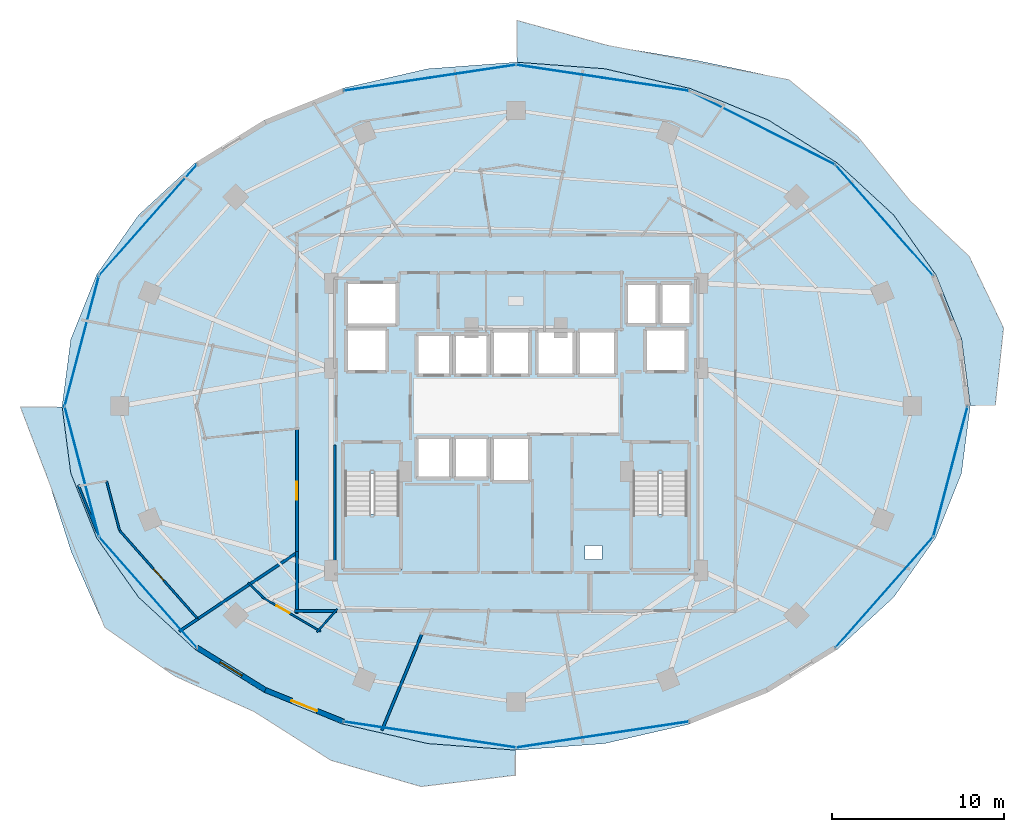
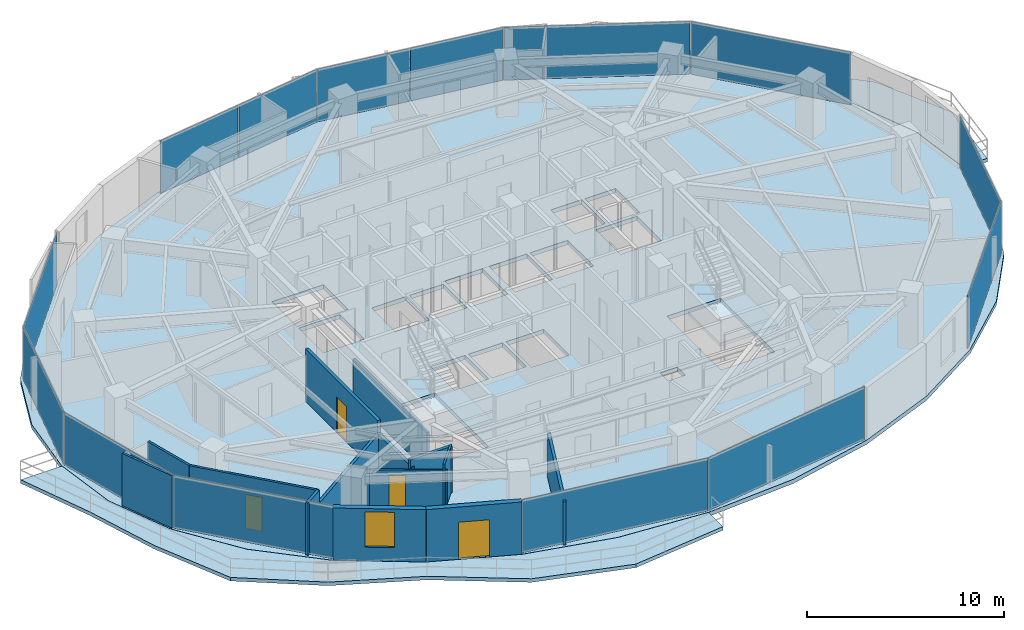
# One storey, part 21 of 29: 15 walls, 14 plates, 5 slabs, 4 doors, 1 window, 5 openings, 6 elements without a shape of their own.
"""IFC4 building model written with IfcOpenShell, lengths in metres."""

from ifc_helpers import new_model, si_unit, direction, frame, frame_2d, origin, origin_2d, place, context, subcontext, project, spatial, polyline, rectangle, outline, extrude, material, layer, layer_set, type_object, element, fill, aggregate, save


model = new_model("IFC4")

# Units and contexts
model_context = context("Model", 3, precision=1e-05, world=origin(), true_north=direction((0.0, 1.0)))
body_context = subcontext(model_context, "Body", "Model", "MODEL_VIEW")
ifc_project = project(units=[si_unit("LENGTHUNIT", "METRE"), si_unit("AREAUNIT", "SQUARE_METRE"), si_unit("VOLUMEUNIT", "CUBIC_METRE"), si_unit("PLANEANGLEUNIT", "RADIAN"), si_unit("MASSUNIT", "GRAM", prefix="KILO")], contexts=[model_context])

# Site, building, storey
site_placement = place(None, origin())
site = spatial("IfcSite", under=ifc_project, at=site_placement, CompositionType="ELEMENT")
building_placement = place(site_placement, origin())
building = spatial("IfcBuilding", under=site, at=building_placement, Name="Vorneva Point Tower", CompositionType="ELEMENT")
storey_placement = place(building_placement, frame((0.0, 0.0, 82.300048828125)))
storey = spatial("IfcBuildingStorey", under=building, at=storey_placement, Name="L21", CompositionType="ELEMENT", Elevation=82.300048828125)

# Curtain wall, plates
ifc_material_1 = material(Name="Pale anodised aluminium", Category="aluminium")
curtain_wall_type = type_object("IfcCurtainWallType", Name="CW-HTL-SYS", PredefinedType="NOTDEFINED", material=ifc_material_1)
curtain_wall_1_placement = place(storey_placement, origin())
curtain_wall_1 = element("IfcCurtainWall", 1, at=curtain_wall_1_placement, inside=storey, type_object=curtain_wall_type, Name="L21 Unitised Curtain Wall CW-L21-R01", PredefinedType="NOTDEFINED")
ifc_material_2 = material(Name="Double low-e laminated glass IGU", Category="glass")
ifc_layer_1 = layer(ifc_material_2, 0.035888671875)
ifc_layer_set_1 = layer_set([ifc_layer_1], Name="Double low-e laminated glass IGU")
plate_type = type_object("IfcPlateType", Name="CW-PNL-VIS", PredefinedType="CURTAIN_PANEL", material=ifc_layer_set_1)
plate_1_placement = place(storey_placement, frame((59.40673828125, 36.816162109375, -0.02001953125), z_axis=(0.0, 0.0, 1.0), x_axis=(-0.662149334693, 0.749371909379, 0.0)))
plate_1 = element("IfcPlate", 2, at=plate_1_placement, type_object=plate_type, Name="CW-L21-R01 Glazed Panel 01", PredefinedType="CURTAIN_PANEL", context=body_context, shape_type="SweptSolid", body=[
    extrude(rectangle(XDim=8.543701171875, YDim=0.035888671875, at=origin_2d()), origin(), (0.0, 0.0, 1.0), 3.280029296875),
])
plate_2_placement = place(storey_placement, frame((52.303466796875, 42.1875, -0.02001953125), z_axis=(0.0, 0.0, 1.0), x_axis=(-0.892538597772, 0.450971009585, 0.0)))
plate_2 = element("IfcPlate", 3, at=plate_2_placement, type_object=plate_type, Name="CW-L21-R01 Glazed Panel 02", PredefinedType="CURTAIN_PANEL", context=body_context, shape_type="SweptSolid", body=[
    extrude(rectangle(XDim=9.491455078125, YDim=0.035888671875, at=origin_2d()), origin(), (0.0, 0.0, 1.0), 3.280029296875),
])
plate_3_placement = place(storey_placement, frame((45.5341796875, 44.716796875, -0.02001953125), z_axis=(0.0, 0.0, 1.0), x_axis=(-0.988876117041, 0.148741470836, 0.0)))
plate_3 = element("IfcPlate", 4, at=plate_3_placement, type_object=plate_type, Name="CW-L21-R01 Glazed Panel 03A", PredefinedType="CURTAIN_PANEL", context=body_context, shape_type="SweptSolid", body=[
    extrude(rectangle(XDim=5.029296875, YDim=0.035888671875, at=origin_2d()), origin(), (0.0, 0.0, 1.0), 3.280029296875),
])
plate_4_placement = place(storey_placement, frame((40.511474609375, 45.472412109375, -0.02001953125), z_axis=(0.0, 0.0, 1.0), x_axis=(-0.988876117041, 0.148741470836, 0.0)))
plate_4 = element("IfcPlate", 5, at=plate_4_placement, type_object=plate_type, Name="CW-L21-R01 Glazed Panel 03B", PredefinedType="CURTAIN_PANEL", context=body_context, shape_type="SweptSolid", body=[
    extrude(rectangle(XDim=5.029296875, YDim=0.035888671875, at=origin_2d()), origin(), (0.0, 0.0, 1.0), 3.280029296875),
])
plate_5_placement = place(storey_placement, frame((35.488525390625, 45.472412109375, -0.02001953125), z_axis=(0.0, 0.0, 1.0), x_axis=(-0.988876117041, -0.148741470836, 0.0)))
plate_5 = element("IfcPlate", 6, at=plate_5_placement, type_object=plate_type, Name="CW-L21-R01 Glazed Panel 04A", PredefinedType="CURTAIN_PANEL", context=body_context, shape_type="SweptSolid", body=[
    extrude(rectangle(XDim=5.029296875, YDim=0.035888671875, at=origin_2d()), origin(), (0.0, 0.0, 1.0), 3.280029296875),
])
plate_6_placement = place(storey_placement, frame((30.4658203125, 44.716796875, -0.02001953125), z_axis=(0.0, 0.0, 1.0), x_axis=(-0.988876117041, -0.148741470836, 0.0)))
plate_6 = element("IfcPlate", 7, at=plate_6_placement, type_object=plate_type, Name="CW-L21-R01 Glazed Panel 04B", PredefinedType="CURTAIN_PANEL", context=body_context, shape_type="SweptSolid", body=[
    extrude(rectangle(XDim=5.029296875, YDim=0.035888671875, at=origin_2d()), origin(), (0.0, 0.0, 1.0), 3.280029296875),
])
aggregate(curtain_wall_1, [plate_1, plate_2, plate_3, plate_4, plate_5, plate_6])

curtain_wall_2_placement = place(storey_placement, origin())
curtain_wall_2 = element("IfcCurtainWall", 8, at=curtain_wall_2_placement, inside=storey, type_object=curtain_wall_type, Name="L21 Unitised Curtain Wall CW-L21-R02", PredefinedType="NOTDEFINED")
plate_7_placement = place(storey_placement, frame((16.59326171875, 36.816162109375, -0.02001953125), z_axis=(0.0, 0.0, 1.0), x_axis=(-0.662149334693, -0.749371909379, 0.0)))
plate_7 = element("IfcPlate", 9, at=plate_7_placement, type_object=plate_type, Name="CW-L21-R02 Glazed Panel 01", PredefinedType="CURTAIN_PANEL", context=body_context, shape_type="SweptSolid", body=[
    extrude(rectangle(XDim=8.543701171875, YDim=0.035888671875, at=origin_2d()), origin(), (0.0, 0.0, 1.0), 3.280029296875),
])
plate_8_placement = place(storey_placement, frame((12.7490234375, 29.798095703125, -0.02001953125), z_axis=(0.0, 0.0, 1.0), x_axis=(-0.254399404995, -0.967099241411, 0.0)))
plate_8 = element("IfcPlate", 10, at=plate_8_placement, type_object=plate_type, Name="CW-L21-R02 Glazed Panel 02", PredefinedType="CURTAIN_PANEL", context=body_context, shape_type="SweptSolid", body=[
    extrude(rectangle(XDim=7.8046875, YDim=0.035888671875, at=origin_2d()), origin(), (0.0, 0.0, 1.0), 3.280029296875),
])
plate_9_placement = place(storey_placement, frame((12.7490234375, 22.201904296875, -0.02001953125), z_axis=(0.0, 0.0, 1.0), x_axis=(0.254399404995, -0.967099241411, 0.0)))
plate_9 = element("IfcPlate", 11, at=plate_9_placement, type_object=plate_type, Name="CW-L21-R02 Glazed Panel 03", PredefinedType="CURTAIN_PANEL", context=body_context, shape_type="SweptSolid", body=[
    extrude(rectangle(XDim=7.8046875, YDim=0.035888671875, at=origin_2d()), origin(), (0.0, 0.0, 1.0), 3.280029296875),
])
plate_10_placement = place(storey_placement, frame((16.59326171875, 15.183837890625, -0.02001953125), z_axis=(0.0, 0.0, 1.0), x_axis=(0.662149334693, -0.749371909379, 0.0)))
plate_10 = element("IfcPlate", 12, at=plate_10_placement, type_object=plate_type, Name="CW-L21-R02 Glazed Panel 04", PredefinedType="CURTAIN_PANEL", context=body_context, shape_type="SweptSolid", body=[
    extrude(rectangle(XDim=8.543701171875, YDim=0.035888671875, at=origin_2d()), origin(), (0.0, 0.0, 1.0), 3.280029296875),
])
aggregate(curtain_wall_2, [plate_7, plate_8, plate_9, plate_10])

curtain_wall_3_placement = place(storey_placement, origin())
curtain_wall_3 = element("IfcCurtainWall", 13, at=curtain_wall_3_placement, inside=storey, type_object=curtain_wall_type, Name="L21 Unitised Curtain Wall CW-L21-R03", PredefinedType="NOTDEFINED")
plate_11_placement = place(storey_placement, frame((32.977294921875, 6.905517578125, -0.02001953125), z_axis=(0.0, 0.0, 1.0), x_axis=(0.988876117041, -0.148741470836, 0.0)))
plate_11 = element("IfcPlate", 14, at=plate_11_placement, type_object=plate_type, Name="CW-L21-R03 Glazed Panel 01", PredefinedType="CURTAIN_PANEL", context=body_context, shape_type="SweptSolid", body=[
    extrude(rectangle(XDim=10.1083984375, YDim=0.035888671875, at=origin_2d()), origin(), (0.0, 0.0, 1.0), 3.280029296875),
])
plate_12_placement = place(storey_placement, frame((43.022705078125, 6.905517578125, -0.02001953125), z_axis=(0.0, 0.0, 1.0), x_axis=(0.988876117041, 0.148741470836, 0.0)))
plate_12 = element("IfcPlate", 15, at=plate_12_placement, type_object=plate_type, Name="CW-L21-R03 Glazed Panel 02", PredefinedType="CURTAIN_PANEL", context=body_context, shape_type="SweptSolid", body=[
    extrude(rectangle(XDim=10.1083984375, YDim=0.035888671875, at=origin_2d()), origin(), (0.0, 0.0, 1.0), 3.280029296875),
])
aggregate(curtain_wall_3, [plate_11, plate_12])

curtain_wall_4_placement = place(storey_placement, origin())
curtain_wall_4 = element("IfcCurtainWall", 16, at=curtain_wall_4_placement, inside=storey, type_object=curtain_wall_type, Name="L21 Unitised Curtain Wall CW-L21-R04", PredefinedType="NOTDEFINED")
plate_13_placement = place(storey_placement, frame((59.40673828125, 15.183837890625, -0.02001953125), z_axis=(0.0, 0.0, 1.0), x_axis=(0.662149334693, 0.749371909379, 0.0)))
plate_13 = element("IfcPlate", 17, at=plate_13_placement, type_object=plate_type, Name="CW-L21-R04 Glazed Panel 01", PredefinedType="CURTAIN_PANEL", context=body_context, shape_type="SweptSolid", body=[
    extrude(rectangle(XDim=8.543701171875, YDim=0.035888671875, at=origin_2d()), origin(), (0.0, 0.0, 1.0), 3.280029296875),
])
plate_14_placement = place(storey_placement, frame((63.2509765625, 22.201904296875, -0.02001953125), z_axis=(0.0, 0.0, 1.0), x_axis=(0.254399404995, 0.967099241411, 0.0)))
plate_14 = element("IfcPlate", 18, at=plate_14_placement, type_object=plate_type, Name="CW-L21-R04 Glazed Panel 02", PredefinedType="CURTAIN_PANEL", context=body_context, shape_type="SweptSolid", body=[
    extrude(rectangle(XDim=7.8046875, YDim=0.035888671875, at=origin_2d()), origin(), (0.0, 0.0, 1.0), 3.280029296875),
])
aggregate(curtain_wall_4, [plate_13, plate_14])

# Slabs
ifc_material_3 = material(Name="Concrete B50 (C40/50)", Category="concrete")
ifc_layer_2 = layer(ifc_material_3, 0.219970703125)
ifc_layer_set_2 = layer_set([ifc_layer_2], Name="Concrete B50 (C40/50)")
slab_type_1 = type_object("IfcSlabType", Name="SLB-BAL-220", PredefinedType="FLOOR", material=ifc_layer_set_2)
slab_1_placement = place(storey_placement, frame((0.0, 0.0, -0.219970703125)))
element("IfcSlab", 19, at=slab_1_placement, inside=storey, type_object=slab_type_1, Name="L21 Cantilevered Wave Balcony NE", PredefinedType="FLOOR", context=body_context, shape_type="SweptSolid", body=[
    extrude(outline(polyline([(38.050048828125, 48.43115234375), (38.050048828125, 46.000244140625), (43.150634765625, 45.61962890625), (43.15087890625, 45.61962890625), (43.1513671875, 45.61962890625), (48.103759765625, 44.4814453125), (48.10400390625, 44.4814453125), (48.104248046875, 44.481201171875), (52.668701171875, 42.633056640625), (52.6689453125, 42.633056640625), (52.669189453125, 42.6328125), (56.669677734375, 40.1455078125), (56.669921875, 40.145263671875), (56.67041015625, 40.14501953125), (59.95361328125, 37.1142578125), (59.953857421875, 37.114013671875), (59.9541015625, 37.11376953125), (62.393798828125, 33.656005859375), (62.393798828125, 33.655517578125), (62.39404296875, 33.6552734375), (63.896484375, 29.9033203125), (63.896484375, 29.903076171875), (63.896484375, 29.902587890625), (63.896728515625, 29.90234375), (64.3974609375, 26.050048828125), (65.8603515625, 26.050048828125), (66.341796875, 30.544921875), (64.33642578125, 34.7177734375), (60.898193359375, 37.947021484375), (57.84521484375, 41.696533203125), (53.85791015625, 44.981689453125), (48.6064453125, 46.08251953125), (43.354248046875, 46.968505859375), (38.050048828125, 48.43115234375)])), origin(), (0.0, 0.0, 1.0), 0.219970703125),
])
slab_2_placement = place(storey_placement, frame((0.0, 0.0, -0.219970703125)))
element("IfcSlab", 20, at=slab_2_placement, inside=storey, type_object=slab_type_1, Name="L21 Cantilevered Wave Balcony SW", PredefinedType="FLOOR", context=body_context, shape_type="SweptSolid", body=[
    extrude(outline(polyline([(37.949951171875, 4.5390625), (37.949951171875, 5.999755859375), (32.849365234375, 6.38037109375), (32.84912109375, 6.38037109375), (32.8486328125, 6.38037109375), (27.896240234375, 7.5185546875), (27.89599609375, 7.5185546875), (27.895751953125, 7.518798828125), (23.331298828125, 9.366943359375), (23.3310546875, 9.366943359375), (23.330810546875, 9.3671875), (19.330322265625, 11.8544921875), (19.330078125, 11.854736328125), (19.32958984375, 11.85498046875), (16.04638671875, 14.8857421875), (16.046142578125, 14.885986328125), (16.0458984375, 14.88623046875), (13.606201171875, 18.343994140625), (13.606201171875, 18.344482421875), (13.60595703125, 18.3447265625), (12.103515625, 22.0966796875), (12.103515625, 22.096923828125), (12.103515625, 22.097412109375), (12.103271484375, 22.09765625), (11.6025390625, 25.949951171875), (9.17431640625, 25.949951171875), (10.7841796875, 21.750732421875), (12.1337890625, 17.539306640625), (14.072021484375, 13.14453125), (18.15478515625, 10.303466796875), (22.76220703125, 8.243408203125), (27.233154296875, 5.40625), (32.472412109375, 3.880615234375), (37.949951171875, 4.5390625)])), origin(), (0.0, 0.0, 1.0), 0.219970703125),
])

# Stair, slab
stair_type = type_object("IfcStairType", Name="ST-DOG-1500", PredefinedType="HALF_TURN_STAIR", material=ifc_material_3)
stair_1_placement = place(storey_placement, origin())
stair_1 = element("IfcStair", 21, at=stair_1_placement, inside=storey, type_object=stair_type, Name="L21 ST1", PredefinedType="HALF_TURN_STAIR")
ifc_layer_3 = layer(ifc_material_3, 0.199951171875)
ifc_layer_set_3 = layer_set([ifc_layer_3], Name="Concrete B50 (C40/50)")
slab_type_2 = type_object("IfcSlabType", Name="SLB-LND-200", PredefinedType="LANDING", material=ifc_layer_set_3)
slab_3_placement = place(storey_placement, frame((0.0, 0.0, 1.550048828125)))
slab_3 = element("IfcSlab", 22, at=slab_3_placement, type_object=slab_type_2, Name="ST1 landing 1", PredefinedType="LANDING", context=body_context, shape_type="SweptSolid", body=[
    extrude(outline(polyline([(27.929931640625, 16.47998046875), (31.320068359375, 16.47998046875), (31.320068359375, 19.72998046875), (27.929931640625, 19.72998046875), (27.929931640625, 16.47998046875)])), origin(), (0.0, 0.0, 1.0), 0.199951171875),
])
aggregate(stair_1, [slab_3])

stair_2_placement = place(storey_placement, origin())
stair_2 = element("IfcStair", 23, at=stair_2_placement, inside=storey, type_object=stair_type, Name="L21 ST2", PredefinedType="HALF_TURN_STAIR")
slab_4_placement = place(storey_placement, frame((0.0, 0.0, 1.550048828125)))
slab_4 = element("IfcSlab", 24, at=slab_4_placement, type_object=slab_type_2, Name="ST2 landing 1", PredefinedType="LANDING", context=body_context, shape_type="SweptSolid", body=[
    extrude(outline(polyline([(44.679931640625, 16.47998046875), (48.070068359375, 16.47998046875), (48.070068359375, 19.72998046875), (44.679931640625, 19.72998046875), (44.679931640625, 16.47998046875)])), origin(), (0.0, 0.0, 1.0), 0.199951171875),
])
aggregate(stair_2, [slab_4])

# Slab
ifc_layer_4 = layer(ifc_material_3, 0.260009765625)
ifc_layer_set_4 = layer_set([ifc_layer_4], Name="Concrete B50 (C40/50)")
slab_type_3 = type_object("IfcSlabType", Name="SLB-TYP-260", PredefinedType="FLOOR", material=ifc_layer_set_4)
slab_5_placement = place(storey_placement, frame((0.0, 0.0, -0.260009765625)))
element("IfcSlab", 25, at=slab_5_placement, inside=storey, type_object=slab_type_3, Name="L21 Structural Floor Plate", PredefinedType="FLOOR", context=body_context, shape_type="SweptSolid", body=[
    extrude(outline(polyline([(64.39990234375, 26.0), (63.892578125, 29.90185546875), (62.390380859375, 33.65380859375), (59.95068359375, 37.111328125), (56.66748046875, 40.14208984375), (52.6669921875, 42.62939453125), (48.102783203125, 44.4775390625), (43.150390625, 45.61572265625), (38.0, 46.0), (32.849609375, 45.61572265625), (27.897216796875, 44.4775390625), (23.3330078125, 42.62939453125), (19.33251953125, 40.14208984375), (16.04931640625, 37.111328125), (13.609619140625, 33.65380859375), (12.107421875, 29.90185546875), (11.60009765625, 26.0), (12.107421875, 22.09814453125), (13.609619140625, 18.34619140625), (16.04931640625, 14.888671875), (19.33251953125, 11.85791015625), (23.3330078125, 9.37060546875), (27.897216796875, 7.5224609375), (32.849609375, 6.38427734375), (38.0, 6.0), (43.150390625, 6.38427734375), (48.102783203125, 7.5224609375), (52.6669921875, 9.37060546875), (56.66748046875, 11.85791015625), (59.95068359375, 14.888671875), (62.390380859375, 18.34619140625), (63.892578125, 22.09814453125), (64.39990234375, 26.0)]), holes=[polyline([(32.199951171875, 27.800048828125), (34.199951171875, 27.800048828125), (34.199951171875, 30.199951171875), (32.199951171875, 30.199951171875), (32.199951171875, 27.800048828125)]), polyline([(34.39990234375, 27.800048828125), (36.39990234375, 27.800048828125), (36.39990234375, 30.199951171875), (34.39990234375, 30.199951171875), (34.39990234375, 27.800048828125)]), polyline([(36.60009765625, 27.800048828125), (38.800048828125, 27.800048828125), (38.800048828125, 30.39990234375), (36.60009765625, 30.39990234375), (36.60009765625, 27.800048828125)]), polyline([(32.199951171875, 21.800048828125), (34.199951171875, 21.800048828125), (34.199951171875, 24.199951171875), (32.199951171875, 24.199951171875), (32.199951171875, 21.800048828125)]), polyline([(34.39990234375, 21.800048828125), (36.39990234375, 21.800048828125), (36.39990234375, 24.199951171875), (34.39990234375, 24.199951171875), (34.39990234375, 21.800048828125)]), polyline([(36.60009765625, 21.60009765625), (38.800048828125, 21.60009765625), (38.800048828125, 24.199951171875), (36.60009765625, 24.199951171875), (36.60009765625, 21.60009765625)]), polyline([(39.199951171875, 27.800048828125), (41.39990234375, 27.800048828125), (41.39990234375, 30.39990234375), (39.199951171875, 30.39990234375), (39.199951171875, 27.800048828125)]), polyline([(41.60009765625, 27.800048828125), (43.800048828125, 27.800048828125), (43.800048828125, 30.39990234375), (41.60009765625, 30.39990234375), (41.60009765625, 27.800048828125)]), polyline([(44.39990234375, 30.739990234375), (46.199951171875, 30.739990234375), (46.199951171875, 33.159912109375), (44.39990234375, 33.159912109375), (44.39990234375, 30.739990234375)]), polyline([(46.39990234375, 30.739990234375), (48.199951171875, 30.739990234375), (48.199951171875, 33.159912109375), (46.39990234375, 33.159912109375), (46.39990234375, 30.739990234375)]), polyline([(28.10009765625, 28.0), (30.5, 28.0), (30.5, 30.5), (28.10009765625, 30.5), (28.10009765625, 28.0)]), polyline([(45.5, 28.0), (47.89990234375, 28.0), (47.89990234375, 30.5), (45.5, 30.5), (45.5, 28.0)]), polyline([(28.10009765625, 30.699951171875), (31.10009765625, 30.699951171875), (31.10009765625, 33.199951171875), (28.10009765625, 33.199951171875), (28.10009765625, 30.699951171875)]), polyline([(28.050048828125, 16.60009765625), (31.199951171875, 16.60009765625), (31.199951171875, 22.080078125), (28.050048828125, 22.080078125), (28.050048828125, 16.60009765625)]), polyline([(44.800048828125, 16.60009765625), (47.949951171875, 16.60009765625), (47.949951171875, 22.080078125), (44.800048828125, 22.080078125), (44.800048828125, 16.60009765625)]), polyline([(42.0, 17.10009765625), (43.0, 17.10009765625), (43.0, 17.89990234375), (42.0, 17.89990234375), (42.0, 17.10009765625)])]), origin(), (0.0, 0.0, 1.0), 0.260009765625),
])

# Wall, opening, window
ifc_material_4 = material(Name="Precast concrete B50 (C40/50)", Category="concrete")
ifc_layer_5 = layer(ifc_material_4, 0.300048828125)
ifc_layer_set_5 = layer_set([ifc_layer_5], Name="Precast concrete B50 (C40/50)")
wall_type_1 = type_object("IfcWallType", Name="WL-EXT-300", PredefinedType="STANDARD", material=ifc_layer_set_5)
wall_1_placement = place(storey_placement, frame((19.4384765625, 11.9638671875, 0.0), z_axis=(0.0, 0.0, 1.0), x_axis=(0.849684479743, -0.527291461038, 0.0)))
wall_1 = element("IfcWall", 26, at=wall_1_placement, inside=storey, type_object=wall_type_1, Name="L21 Pale-Metal Facade Spandrel Wall 11.1", PredefinedType="STANDARD", context=body_context, shape_type="SweptSolid", body=[
    extrude(rectangle(XDim=4.681396484375, YDim=0.300048828125, at=frame_2d((2.3408203125, 0.0))), origin(), (0.0, 0.0, 1.0), 3.239990234375),
])
opening_1_placement = place(wall_1_placement, frame((1.5908203125, 0.0, 0.85009765625)))
opening_1 = element("IfcOpeningElement", 27, at=opening_1_placement, cuts=wall_1, Name="Opening W-02", PredefinedType="OPENING", context=body_context, shape_type="SweptSolid", body=[
    extrude(rectangle(XDim=1.5, YDim=2.18994140625, at=frame_2d((0.75, 1.094970703125))), frame((0.0, 0.1650390625, 0.0), z_axis=(0.0, -1.0, 0.0), x_axis=(1.0, 0.0, 0.0)), (0.0, 0.0, 1.0), 0.329833984375),
])
window_type = type_object("IfcWindowType", Name="WN-HTL-1500", PartitioningType="SINGLE_PANEL", PredefinedType="WINDOW", material=ifc_material_2)
window_placement = place(opening_1_placement, origin())
window = element("IfcWindow", 28, at=window_placement, inside=storey, type_object=window_type, Name="L21 Facade Window 11", OverallHeight=2.18994140625, OverallWidth=1.5, PartitioningType="SINGLE_PANEL", PredefinedType="WINDOW", context=body_context, shape_type="SweptSolid", body=[
    extrude(rectangle(XDim=1.5, YDim=2.18994140625, at=frame_2d((0.75, 1.094970703125))), frame((0.0, 0.030029296875, 0.0), z_axis=(0.0, -1.0, 0.0), x_axis=(1.0, 0.0, 0.0)), (0.0, 0.0, 1.0), 0.06005859375),
])
fill(opening_1, window)

# Wall, opening, door
wall_2_placement = place(storey_placement, frame((23.416259765625, 9.495361328125, 0.0), z_axis=(0.0, 0.0, 1.0), x_axis=(0.927122233109, -0.374759075775, 0.0)))
wall_2 = element("IfcWall", 29, at=wall_2_placement, inside=storey, type_object=wall_type_1, Name="L21 Pale-Metal Facade Spandrel Wall 11.2", PredefinedType="STANDARD", context=body_context, shape_type="SweptSolid", body=[
    extrude(rectangle(XDim=4.89501953125, YDim=0.300048828125, at=frame_2d((2.447509765625, 0.0))), origin(), (0.0, 0.0, 1.0), 3.239990234375),
])
opening_2_placement = place(wall_2_placement, frame((1.6474609375, 0.0, 0.0)))
opening_2 = element("IfcOpeningElement", 30, at=opening_2_placement, cuts=wall_2, Name="Opening BD-01", PredefinedType="OPENING", context=body_context, shape_type="SweptSolid", body=[
    extrude(rectangle(XDim=1.60009765625, YDim=2.300048828125, at=frame_2d((0.800048828125, 1.14990234375))), frame((0.0, 0.1650390625, 0.0), z_axis=(0.0, -1.0, 0.0), x_axis=(1.0, 0.0, 0.0)), (0.0, 0.0, 1.0), 0.329833984375),
])
door_type_1 = type_object("IfcDoorType", Name="DR-BAL-1600", OperationType="SLIDING_TO_LEFT", PredefinedType="DOOR", material=ifc_material_1)
door_1_placement = place(opening_2_placement, origin())
door_1 = element("IfcDoor", 31, at=door_1_placement, inside=storey, type_object=door_type_1, Name="L21 Balcony Terrace Access Door 11", OperationType="SLIDING_TO_LEFT", OverallHeight=2.300048828125, OverallWidth=1.60009765625, PredefinedType="DOOR", context=body_context, shape_type="SweptSolid", body=[
    extrude(rectangle(XDim=1.60009765625, YDim=2.300048828125, at=frame_2d((0.800048828125, 1.14990234375))), frame((0.0, 0.02490234375, 0.0), z_axis=(0.0, -1.0, 0.0), x_axis=(1.0, 0.0, 0.0)), (0.0, 0.0, 1.0), 0.050048828125),
])
fill(opening_2, door_1)

# Wall
ifc_material_5 = material(Name="Fire-rated acoustic gypsum stud partition", Category="gypsum")
ifc_layer_6 = layer(ifc_material_5, 0.110107421875)
ifc_layer_set_6 = layer_set([ifc_layer_6], Name="Fire-rated acoustic gypsum stud partition")
wall_type_2 = type_object("IfcWallType", Name="WL-PART-110", PredefinedType="PARTITIONING", material=ifc_layer_set_6)
wall_3_placement = place(storey_placement, frame((27.6015625, 14.205078125, 0.0), z_axis=(0.0, 0.0, 1.0), x_axis=(-0.661454172329, -0.749985585134, 0.0)))
element("IfcWall", 32, at=wall_3_placement, inside=storey, type_object=wall_type_2, Name="L21 Interior Partition 085", PredefinedType="PARTITIONING", context=body_context, shape_type="SweptSolid", body=[
    extrude(rectangle(XDim=1.7841796875, YDim=0.110107421875, at=frame_2d((0.89208984375, 0.0))), origin(), (0.0, 0.0, 1.0), 2.8740234375),
])

# Wall, opening, door
wall_4_placement = place(storey_placement, frame((26.634765625, 12.9013671875, 0.0), z_axis=(0.0, 0.0, 1.0), x_axis=(-0.863173900656, 0.504906741117, 0.0)))
wall_4 = element("IfcWall", 33, at=wall_4_placement, inside=storey, type_object=wall_type_2, Name="L21 Interior Partition 086", PredefinedType="PARTITIONING", context=body_context, shape_type="SweptSolid", body=[
    extrude(rectangle(XDim=3.955810546875, YDim=0.110107421875, at=frame_2d((1.97802734375, 0.0))), origin(), (0.0, 0.0, 1.0), 2.431884765625),
])
opening_3_placement = place(wall_4_placement, frame((2.11279296875, 0.0, 0.0)))
opening_3 = element("IfcOpeningElement", 34, at=opening_3_placement, cuts=wall_4, Name="Opening ID-02", PredefinedType="OPENING", context=body_context, shape_type="SweptSolid", body=[
    extrude(rectangle(XDim=0.85009765625, YDim=2.10009765625, at=frame_2d((0.425048828125, 1.050048828125))), frame((0.0, 0.06982421875, 0.0), z_axis=(0.0, -1.0, 0.0), x_axis=(1.0, 0.0, 0.0)), (0.0, 0.0, 1.0), 0.139892578125),
])
ifc_material_6 = material(Name="Engineered oak fire-rated door leaf", Category="wood")
door_type_2 = type_object("IfcDoorType", Name="DR-BATH-850", OperationType="NOTDEFINED", PredefinedType="DOOR", material=ifc_material_6)
door_2_placement = place(opening_3_placement, origin())
door_2 = element("IfcDoor", 35, at=door_2_placement, inside=storey, type_object=door_type_2, Name="L21 Door Deluxe Guest Room L21-05 / En-Suite Bathroom L21-05", OperationType="SINGLE_SWING_LEFT", OverallHeight=2.10009765625, OverallWidth=0.85009765625, PredefinedType="DOOR", context=body_context, shape_type="SweptSolid", body=[
    extrude(rectangle(XDim=0.85009765625, YDim=2.10009765625, at=frame_2d((0.425048828125, 1.050048828125))), frame((0.0, 0.02490234375, 0.0), z_axis=(0.0, -1.0, 0.0), x_axis=(1.0, 0.0, 0.0)), (0.0, 0.0, 1.0), 0.050048828125),
])
fill(opening_3, door_2)

# Walls
wall_5_placement = place(storey_placement, frame((23.337890625, 14.831298828125, 0.0), z_axis=(0.0, 0.0, 1.0), x_axis=(-0.709817225963, 0.70438590682, 0.0)))
element("IfcWall", 36, at=wall_5_placement, inside=storey, type_object=wall_type_2, Name="L21 Interior Partition 087", PredefinedType="PARTITIONING", context=body_context, shape_type="SweptSolid", body=[
    extrude(rectangle(XDim=1.303466796875, YDim=0.110107421875, at=frame_2d((0.65185546875, 0.0))), origin(), (0.0, 0.0, 1.0), 2.431884765625),
])
ifc_layer_7 = layer(ifc_material_5, 0.125)
ifc_layer_set_7 = layer_set([ifc_layer_7], Name="Fire-rated acoustic gypsum stud partition")
wall_type_3 = type_object("IfcWallType", Name="WL-PART-125", PredefinedType="PARTITIONING", material=ifc_layer_set_7)
wall_6_placement = place(storey_placement, frame((12.5439453125, 21.410888671875, 0.0), z_axis=(0.0, 0.0, 1.0), x_axis=(0.371612636283, -0.928387876135, 0.0)))
element("IfcWall", 37, at=wall_6_placement, inside=storey, type_object=wall_type_3, Name="L21 Interior Partition 079", PredefinedType="PARTITIONING", context=body_context, shape_type="SweptSolid", body=[
    extrude(rectangle(XDim=3.223876953125, YDim=0.125, at=frame_2d((1.61181640625, 0.0))), origin(), (0.0, 0.0, 1.0), 3.239990234375),
])
wall_7_placement = place(storey_placement, frame((14.18408203125, 21.64990234375, 0.0), z_axis=(0.0, 0.0, 1.0), x_axis=(0.254347718415, -0.9671128363, 0.0)))
element("IfcWall", 38, at=wall_7_placement, inside=storey, type_object=wall_type_3, Name="L21 Interior Partition 081", PredefinedType="PARTITIONING", context=body_context, shape_type="SweptSolid", body=[
    extrude(rectangle(XDim=2.9716796875, YDim=0.125, at=frame_2d((1.48583984375, 0.0))), origin(), (0.0, 0.0, 1.0), 3.239990234375),
])

# Wall, opening, door
wall_8_placement = place(storey_placement, frame((14.93994140625, 18.77587890625, 0.0), z_axis=(0.0, 0.0, 1.0), x_axis=(0.662156478246, -0.749365597233, 0.0)))
wall_8 = element("IfcWall", 39, at=wall_8_placement, inside=storey, type_object=wall_type_3, Name="L21 Interior Partition 082", PredefinedType="PARTITIONING", context=body_context, shape_type="SweptSolid", body=[
    extrude(rectangle(XDim=6.8671875, YDim=0.125, at=frame_2d((3.43359375, 0.0))), origin(), (0.0, 0.0, 1.0), 3.239990234375),
])
opening_4_placement = place(wall_8_placement, frame((2.9833984375, 0.0, 0.0)))
opening_4 = element("IfcOpeningElement", 40, at=opening_4_placement, cuts=wall_8, Name="Opening ID-01", PredefinedType="OPENING", context=body_context, shape_type="SweptSolid", body=[
    extrude(rectangle(XDim=0.89990234375, YDim=2.10009765625, at=frame_2d((0.449951171875, 1.050048828125))), frame((0.0, 0.077392578125, 0.0), z_axis=(0.0, -1.0, 0.0), x_axis=(1.0, 0.0, 0.0)), (0.0, 0.0, 1.0), 0.15478515625),
])
door_type_3 = type_object("IfcDoorType", Name="DR-ROOM-900", OperationType="NOTDEFINED", PredefinedType="DOOR", material=ifc_material_6)
door_3_placement = place(opening_4_placement, origin())
door_3 = element("IfcDoor", 41, at=door_3_placement, inside=storey, type_object=door_type_3, Name="L21 Door Corner Suite L21-04 / Suite Sitting Study L21-04", OperationType="SINGLE_SWING_RIGHT", OverallHeight=2.10009765625, OverallWidth=0.89990234375, PredefinedType="DOOR", context=body_context, shape_type="SweptSolid", body=[
    extrude(rectangle(XDim=0.89990234375, YDim=2.10009765625, at=frame_2d((0.449951171875, 1.050048828125))), frame((0.0, 0.02490234375, 0.0), z_axis=(0.0, -1.0, 0.0), x_axis=(1.0, 0.0, 0.0)), (0.0, 0.0, 1.0), 0.050048828125),
])
fill(opening_4, door_3)

# Walls
ifc_layer_8 = layer(ifc_material_5, 0.139892578125)
ifc_layer_set_8 = layer_set([ifc_layer_8], Name="Fire-rated acoustic gypsum stud partition")
wall_type_4 = type_object("IfcWallType", Name="WL-PART-140", PredefinedType="PARTITIONING", material=ifc_layer_set_8)
wall_9_placement = place(storey_placement, frame((27.449951171875, 16.239990234375, 0.0), z_axis=(0.0, 0.0, 1.0), x_axis=(0.0, 1.0, 0.0)))
element("IfcWall", 42, at=wall_9_placement, inside=storey, type_object=wall_type_4, Name="L21 Interior Closure Partition 109", PredefinedType="PARTITIONING", context=body_context, shape_type="SweptSolid", body=[
    extrude(rectangle(XDim=7.513916015625, YDim=0.139892578125, at=frame_2d((3.7568359375, 0.0))), origin(), (0.0, 0.0, 1.0), 2.431884765625),
])
ifc_layer_9 = layer(ifc_material_5, 0.159912109375)
ifc_layer_set_9 = layer_set([ifc_layer_9], Name="Fire-rated acoustic gypsum stud partition")
wall_type_5 = type_object("IfcWallType", Name="WL-PART-160", PredefinedType="PARTITIONING", material=ifc_layer_set_9)
wall_10_placement = place(storey_placement, frame((19.487060546875, 13.6298828125, 0.0), z_axis=(0.0, 0.0, 1.0), x_axis=(0.831442874018, 0.555610247607, 0.0)))
element("IfcWall", 43, at=wall_10_placement, inside=storey, type_object=wall_type_5, Name="L21 Interior Partition 083", PredefinedType="PARTITIONING", context=body_context, shape_type="SweptSolid", body=[
    extrude(rectangle(XDim=6.93115234375, YDim=0.159912109375, at=frame_2d((3.465576171875, 0.0))), origin(), (0.0, 0.0, 1.0), 2.431884765625),
])
wall_11_placement = place(storey_placement, frame((18.412109375, 12.912109375, 0.0), z_axis=(0.0, 0.0, 1.0), x_axis=(0.831643249848, 0.555310278118, 0.0)))
element("IfcWall", 44, at=wall_11_placement, inside=storey, type_object=wall_type_5, Name="L21 Interior Partition 084", PredefinedType="PARTITIONING", context=body_context, shape_type="SweptSolid", body=[
    extrude(rectangle(XDim=1.29248046875, YDim=0.159912109375, at=frame_2d((0.646240234375, 0.0))), origin(), (0.0, 0.0, 1.0), 3.239990234375),
])
wall_12_placement = place(storey_placement, frame((30.19189453125, 7.14892578125, 0.0), z_axis=(0.0, 0.0, 1.0), x_axis=(0.382705075352, 0.923870567395, 0.0)))
element("IfcWall", 45, at=wall_12_placement, inside=storey, type_object=wall_type_5, Name="L21 Interior Partition 088", PredefinedType="PARTITIONING", context=body_context, shape_type="SweptSolid", body=[
    extrude(rectangle(XDim=6.164306640625, YDim=0.159912109375, at=frame_2d((3.08203125, 0.0))), origin(), (0.0, 0.0, 1.0), 2.677001953125),
])

# Wall, opening, door
ifc_material_7 = material(Name="Autoclaved aerated concrete blockwork", Category="masonry")
ifc_layer_10 = layer(ifc_material_7, 0.179931640625)
ifc_layer_set_10 = layer_set([ifc_layer_10], Name="Autoclaved aerated concrete blockwork")
wall_type_6 = type_object("IfcWallType", Name="WL-PART-180", PredefinedType="PARTITIONING", material=ifc_layer_set_10)
wall_13_placement = place(storey_placement, frame((25.25, 24.75390625, 0.0), z_axis=(0.0, 0.0, 1.0), x_axis=(0.0, -1.0, 0.0)))
wall_13 = element("IfcWall", 46, at=wall_13_placement, inside=storey, type_object=wall_type_6, Name="L21 Interior Partition 034", PredefinedType="PARTITIONING", context=body_context, shape_type="SweptSolid", body=[
    extrude(rectangle(XDim=7.344970703125, YDim=0.179931640625, at=frame_2d((3.67236328125, 0.0))), origin(), (0.0, 0.0, 1.0), 3.239990234375),
])
opening_5_placement = place(wall_13_placement, frame((3.1474609375, 0.0, 0.0)))
opening_5 = element("IfcOpeningElement", 47, at=opening_5_placement, cuts=wall_13, Name="Opening UD-02", PredefinedType="OPENING", context=body_context, shape_type="SweptSolid", body=[
    extrude(rectangle(XDim=1.050048828125, YDim=2.199951171875, at=frame_2d((0.52490234375, 1.10009765625))), frame((0.0, 0.10498046875, 0.0), z_axis=(0.0, -1.0, 0.0), x_axis=(1.0, 0.0, 0.0)), (0.0, 0.0, 1.0), 0.209716796875),
])
door_type_4 = type_object("IfcDoorType", Name="DR-SUITE-1050", OperationType="NOTDEFINED", PredefinedType="DOOR", material=ifc_material_6)
door_4_placement = place(opening_5_placement, origin())
door_4 = element("IfcDoor", 48, at=door_4_placement, inside=storey, type_object=door_type_4, Name="L21 Door L21 Circulation Corridor / Corner Suite L21-04", OperationType="SINGLE_SWING_RIGHT", OverallHeight=2.199951171875, OverallWidth=1.050048828125, PredefinedType="DOOR", context=body_context, shape_type="SweptSolid", body=[
    extrude(rectangle(XDim=1.050048828125, YDim=2.199951171875, at=frame_2d((0.52490234375, 1.10009765625))), frame((0.0, 0.02490234375, 0.0), z_axis=(0.0, -1.0, 0.0), x_axis=(1.0, 0.0, 0.0)), (0.0, 0.0, 1.0), 0.050048828125),
])
fill(opening_5, door_4)

# Walls
wall_14_placement = place(storey_placement, frame((25.25, 17.549072265625, 0.0), z_axis=(0.0, 0.0, 1.0), x_axis=(0.0, -1.0, 0.0)))
element("IfcWall", 49, at=wall_14_placement, inside=storey, type_object=wall_type_6, Name="L21 Interior Partition 037", PredefinedType="PARTITIONING", context=body_context, shape_type="SweptSolid", body=[
    extrude(rectangle(XDim=3.589111328125, YDim=0.179931640625, at=frame_2d((1.79443359375, 0.0))), origin(), (0.0, 0.0, 1.0), 2.431884765625),
])
wall_15_placement = place(storey_placement, frame((25.110107421875, 14.10009765625, 0.0), z_axis=(0.0, 0.0, 1.0), x_axis=(1.0, 0.0, 0.0)))
element("IfcWall", 50, at=wall_15_placement, inside=storey, type_object=wall_type_6, Name="L21 Interior Partition 038", PredefinedType="PARTITIONING", context=body_context, shape_type="SweptSolid", body=[
    extrude(rectangle(XDim=2.458984375, YDim=0.179931640625, at=frame_2d((1.2294921875, 0.0))), origin(), (0.0, 0.0, 1.0), 2.8740234375),
])

save(model, "model.ifc")
